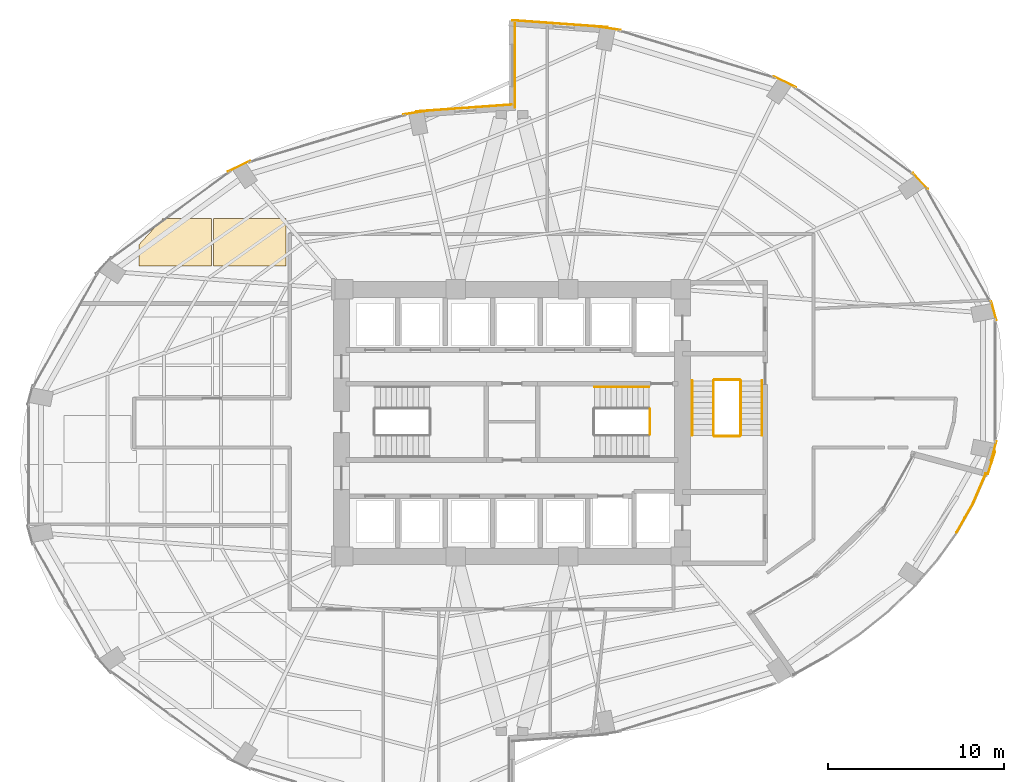
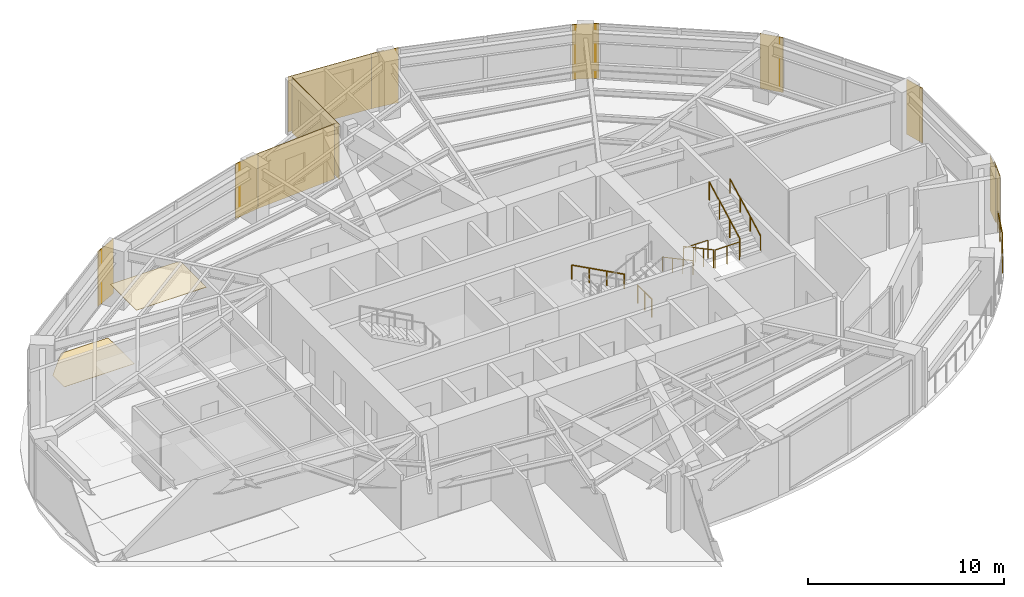
# One storey, part 24 of 24: 13 coverings, 10 railings.
"""IFC4 building model written with IfcOpenShell, lengths in metres."""

from ifc_helpers import new_model, si_unit, direction, frame, origin, origin_2d, place, context, subcontext, project, spatial, polyline, rectangle, circle, outline, extrude, material, layer, layer_set, type_object, element, save


model = new_model("IFC4")

# Units and contexts
model_context = context("Model", 3, precision=1e-05, world=origin(), true_north=direction((0.0, 1.0)))
body_context = subcontext(model_context, "Body", "Model", "MODEL_VIEW")
ifc_project = project(units=[si_unit("LENGTHUNIT", "METRE"), si_unit("AREAUNIT", "SQUARE_METRE"), si_unit("VOLUMEUNIT", "CUBIC_METRE"), si_unit("PLANEANGLEUNIT", "RADIAN"), si_unit("MASSUNIT", "GRAM", prefix="KILO")], contexts=[model_context])

# Site, building, storey
site_placement = place(None, origin())
site = spatial("IfcSite", under=ifc_project, at=site_placement, CompositionType="ELEMENT")
building_placement = place(site_placement, origin())
building = spatial("IfcBuilding", under=site, at=building_placement, Name="Lazwardi Medical Tower", CompositionType="ELEMENT")
storey_placement = place(building_placement, frame((0.0, 0.0, 58.031982421875)))
storey = spatial("IfcBuildingStorey", under=building, at=storey_placement, Name="L14", CompositionType="ELEMENT", Elevation=58.031982421875)

# Coverings
ifc_material_1 = material(Name="Anodised bronze aluminium cassette cladding", Category="aluminium")
ifc_layer_1 = layer(ifc_material_1, 0.030029296875)
ifc_layer_set_1 = layer_set([ifc_layer_1], Name="Anodised bronze aluminium cassette cladding")
covering_type_1 = type_object("IfcCoveringType", Name="COV-CLD-BRZ", PredefinedType="CLADDING", material=ifc_layer_set_1)
for number, where, z_axis, x_axis, name in (
    (1, (63.420654296875, 26.408203125, 0.0), (0.0, 0.0, 1.0), (0.262283496593, 0.964990863902, 0.0), "L14 Mega-column bronze cassette cover M04"),
    (2, (63.420654296875, 34.3916015625, 0.0), (0.0, 0.0, 1.0), (-0.262283496593, 0.964990863902, 0.0), "L14 Mega-column bronze cassette cover M05"),
):
    element("IfcCovering", number, at=place(storey_placement, frame(where, z_axis=z_axis, x_axis=x_axis)), inside=storey, type_object=covering_type_1, Name=name, PredefinedType="CLADDING", context=body_context, shape_type="SweptSolid", body=[
        extrude(rectangle(XDim=1.12548828125, YDim=0.030029296875, at=origin_2d()), origin(), (0.0, 0.0, 1.0), 3.427978515625),
    ])
covering_1_placement = place(storey_placement, frame((59.24609375, 41.767333984375, 0.0), z_axis=(0.0, 0.0, 1.0), x_axis=(-0.674252120961, 0.738501237223, 0.0)))
element("IfcCovering", 3, at=covering_1_placement, inside=storey, type_object=covering_type_1, Name="L14 Mega-column bronze cassette cover M06", PredefinedType="CLADDING", context=body_context, shape_type="SweptSolid", body=[
    extrude(rectangle(XDim=1.24658203125, YDim=0.030029296875, at=origin_2d()), origin(), (0.0, 0.0, 1.0), 3.427978515625),
])
covering_2_placement = place(storey_placement, frame((51.532470703125, 47.412353515625, 0.0), z_axis=(0.0, 0.0, 1.0), x_axis=(-0.898334492373, 0.439312121178, 0.0)))
element("IfcCovering", 4, at=covering_2_placement, inside=storey, type_object=covering_type_1, Name="L14 Mega-column bronze cassette cover M07", PredefinedType="CLADDING", context=body_context, shape_type="SweptSolid", body=[
    extrude(rectangle(XDim=1.400390625, YDim=0.030029296875, at=origin_2d()), origin(), (0.0, 0.0, 1.0), 3.427978515625),
])
for number, where, z_axis, x_axis, name in (
    (5, (41.454345703125, 50.46728515625, 0.0), (0.0, 0.0, 1.0), (-0.98957259946, 0.144034962415, 0.0), "L14 Mega-column bronze cassette cover M08"),
    (6, (30.545654296875, 45.66748046875, 0.0), (0.0, 0.0, 1.0), (-0.98957259946, -0.144034962415, 0.0), "L14 Mega-column bronze cassette cover M09"),
):
    element("IfcCovering", number, at=place(storey_placement, frame(where, z_axis=z_axis, x_axis=x_axis)), inside=storey, type_object=covering_type_1, Name=name, PredefinedType="CLADDING", context=body_context, shape_type="SweptSolid", body=[
        extrude(rectangle(XDim=1.49951171875, YDim=0.030029296875, at=origin_2d()), origin(), (0.0, 0.0, 1.0), 3.427978515625),
    ])
covering_3_placement = place(storey_placement, frame((20.467529296875, 42.6123046875, 0.0), z_axis=(0.0, 0.0, 1.0), x_axis=(-0.898334492373, -0.439312121178, 0.0)))
element("IfcCovering", 7, at=covering_3_placement, inside=storey, type_object=covering_type_1, Name="L14 Mega-column bronze cassette cover M10", PredefinedType="CLADDING", context=body_context, shape_type="SweptSolid", body=[
    extrude(rectangle(XDim=1.400390625, YDim=0.030029296875, at=origin_2d()), origin(), (0.0, 0.0, 1.0), 3.427978515625),
])
ifc_material_2 = material(Name="Turquoise glazed ceramic tilework cladding", Category="masonry")
ifc_layer_2 = layer(ifc_material_2, 0.034912109375)
ifc_layer_set_2 = layer_set([ifc_layer_2], Name="Turquoise glazed ceramic tilework cladding")
covering_type_2 = type_object("IfcCoveringType", Name="COV-CLD-TRQ", PredefinedType="CLADDING", material=ifc_layer_set_2)
covering_4_placement = place(storey_placement, frame((38.728271484375, 50.719482421875, 0.0), z_axis=(0.0, 0.0, 1.0), x_axis=(-0.997421404513, 0.071767275412, 0.0)))
element("IfcCovering", 8, at=covering_4_placement, inside=storey, type_object=covering_type_2, Name="L14 Turquoise glazed ceramic tilework cladding", PredefinedType="CLADDING", context=body_context, shape_type="SweptSolid", body=[
    extrude(rectangle(XDim=5.4453125, YDim=0.034912109375, at=origin_2d()), origin(), (0.0, 0.0, 1.0), 3.427978515625),
])
covering_5_placement = place(storey_placement, frame((33.271484375, 45.919677734375, 0.0), z_axis=(0.0, 0.0, 1.0), x_axis=(-0.997420903458, -0.071774238726, 0.0)))
element("IfcCovering", 9, at=covering_5_placement, inside=storey, type_object=covering_type_2, Name="L14 Turquoise glazed ceramic tilework cladding", PredefinedType="CLADDING", context=body_context, shape_type="SweptSolid", body=[
    extrude(rectangle(XDim=5.44482421875, YDim=0.034912109375, at=origin_2d()), origin(), (0.0, 0.0, 1.0), 3.427978515625),
])
covering_6_placement = place(storey_placement, frame((36.175537109375, 48.340087890625, 0.0), z_axis=(0.0, 0.0, 1.0), x_axis=(0.0, -1.0, 0.0)))
element("IfcCovering", 10, at=covering_6_placement, inside=storey, type_object=covering_type_2, Name="L14 Turquoise glazed ceramic tilework iwan panel", PredefinedType="CLADDING", context=body_context, shape_type="SweptSolid", body=[
    extrude(rectangle(XDim=4.800048828125, YDim=0.034912109375, at=origin_2d()), origin(), (0.0, 0.0, 1.0), 3.427978515625),
])
covering_7_placement = place(storey_placement, frame((63.284912109375, 25.725830078125, 0.0), z_axis=(0.0, 0.0, 1.0), x_axis=(0.303954912629, 0.952686418025, 0.0)))
element("IfcCovering", 11, at=covering_7_placement, inside=storey, type_object=covering_type_2, Name="L14 Turquoise glazed ceramic tilework cladding", PredefinedType="CLADDING", context=body_context, shape_type="SweptSolid", body=[
    extrude(rectangle(XDim=1.362060546875, YDim=0.034912109375, at=origin_2d()), origin(), (0.0, 0.0, 1.0), 3.427978515625),
])
ifc_material_3 = material(Name="Acoustic mineral fibre tile")
ifc_layer_3 = layer(ifc_material_3, 0.02490234375)
ifc_layer_set_3 = layer_set([ifc_layer_3], Name="Acoustic mineral fibre tile")
covering_type_3 = type_object("IfcCoveringType", Name="COV-CLG-01", PredefinedType="CEILING", material=ifc_layer_set_3)
covering_8_placement = place(storey_placement, frame((0.0, 0.0, 3.282958984375)))
element("IfcCovering", 12, at=covering_8_placement, inside=storey, type_object=covering_type_3, Name="L14 Clinical Acoustic Ceiling 9", PredefinedType="CEILING", context=body_context, shape_type="SweptSolid", body=[
    extrude(outline(polyline([(23.142822265625, 36.9423828125), (23.142822265625, 39.62255859375), (19.012939453125, 39.62255859375), (19.012939453125, 36.9423828125), (23.142822265625, 36.9423828125)])), origin(), (0.0, 0.0, 1.0), 0.025146484375),
])
ifc_material_4 = material(Name="Anti-static hospital vinyl sheet flooring")
ifc_layer_4 = layer(ifc_material_4, 0.014892578125)
ifc_layer_set_4 = layer_set([ifc_layer_4], Name="Anti-static hospital vinyl sheet flooring")
covering_type_4 = type_object("IfcCoveringType", Name="COV-FLR-01", PredefinedType="FLOORING", material=ifc_layer_set_4)
covering_9_placement = place(storey_placement, origin())
element("IfcCovering", 13, at=covering_9_placement, inside=storey, type_object=covering_type_4, Name="L14 Clinical Vinyl Flooring 7", PredefinedType="FLOORING", context=body_context, shape_type="SweptSolid", body=[
    extrude(outline(polyline([(16.120361328125, 39.62255859375), (14.762939453125, 38.138671875), (14.762939453125, 36.9423828125), (18.892822265625, 36.9423828125), (18.892822265625, 39.62255859375), (16.120361328125, 39.62255859375)])), origin(), (0.0, 0.0, 1.0), 0.01513671875),
])

# Railings
ifc_material_5 = material(Name="Stainless steel Grade 316", Category="steel")
railing_type_1 = type_object("IfcRailingType", Name="RLG-GRD-1150", PredefinedType="GUARDRAIL", material=ifc_material_5)
railing_1_placement = place(storey_placement, frame((43.85009765625, 28.780029296875, 0.0)))
element("IfcRailing", 14, at=railing_1_placement, inside=storey, type_object=railing_type_1, Name="L14 ST2 stair guard 4", PredefinedType="GUARDRAIL", context=body_context, shape_type="SweptSolid", body=[
    extrude(circle(Radius=0.02392578125, at=origin_2d()), frame((0.0, 0.0, 1.1259765625), z_axis=(0.0, -1.0, 0.0), x_axis=(1.0, 0.0, 0.0)), (0.0, 0.0, 1.0), 1.43994140625),
    extrude(circle(Radius=0.02099609375, at=origin_2d()), origin(), (0.0, 0.0, 1.0), 1.099853515625),
    extrude(circle(Radius=0.02099609375, at=origin_2d()), frame((0.0, -0.719970703125, 0.0)), (0.0, 0.0, 1.0), 1.099853515625),
    extrude(circle(Radius=0.02099609375, at=origin_2d()), frame((0.0, -1.43994140625, 0.0)), (0.0, 0.0, 1.0), 1.099853515625),
])
railing_2_placement = place(storey_placement, frame((47.469970703125, 30.39990234375, 0.165771484375)))
element("IfcRailing", 15, at=railing_2_placement, inside=storey, type_object=railing_type_1, Name="L14 ST3 stair guard 1", PredefinedType="GUARDRAIL", context=body_context, shape_type="SweptSolid", body=[
    extrude(circle(Radius=0.02392578125, at=origin_2d()), frame((0.0, 0.0, 1.1259765625), z_axis=(0.0, -0.881767849116, 0.471683644262), x_axis=(1.0, 0.0, 0.0)), (0.0, 0.0, 1.0), 3.515380859375),
    extrude(circle(Radius=0.02099609375, at=origin_2d()), origin(), (0.0, 0.0, 1.0), 1.099853515625),
    extrude(circle(Radius=0.02099609375, at=origin_2d()), frame((0.0, -1.033203125, 0.552734375)), (0.0, 0.0, 1.0), 1.099853515625),
    extrude(circle(Radius=0.02099609375, at=origin_2d()), frame((0.0, -2.066650390625, 1.10546875)), (0.0, 0.0, 1.0), 1.099853515625),
    extrude(circle(Radius=0.02099609375, at=origin_2d()), frame((0.0, -3.099853515625, 1.658203125)), (0.0, 0.0, 1.0), 1.099853515625),
])
railing_3_placement = place(storey_placement, frame((47.52001953125, 27.25, 1.823974609375)))
element("IfcRailing", 16, at=railing_3_placement, inside=storey, type_object=railing_type_1, Name="L14 ST3 stair guard 2", PredefinedType="GUARDRAIL", context=body_context, shape_type="SweptSolid", body=[
    extrude(circle(Radius=0.02392578125, at=origin_2d()), frame((0.0, 0.0, 1.1259765625), z_axis=(1.0, 0.0, 0.0), x_axis=(0.0, 1.0, 0.0)), (0.0, 0.0, 1.0), 1.43994140625),
    extrude(circle(Radius=0.02099609375, at=origin_2d()), origin(), (0.0, 0.0, 1.0), 1.099853515625),
    extrude(circle(Radius=0.02099609375, at=origin_2d()), frame((0.719970703125, 0.0, 0.0)), (0.0, 0.0, 1.0), 1.099853515625),
    extrude(circle(Radius=0.02099609375, at=origin_2d()), frame((1.43994140625, 0.0, 0.0)), (0.0, 0.0, 1.0), 1.099853515625),
])
railing_4_placement = place(storey_placement, frame((49.010009765625, 27.300048828125, 1.98974609375)))
element("IfcRailing", 17, at=railing_4_placement, inside=storey, type_object=railing_type_1, Name="L14 ST3 stair guard 3", PredefinedType="GUARDRAIL", context=body_context, shape_type="SweptSolid", body=[
    extrude(circle(Radius=0.02392578125, at=origin_2d()), frame((0.0, 0.0, 1.1259765625), z_axis=(0.0, 0.881767849116, 0.471683644262), x_axis=(-1.0, 0.0, 0.0)), (0.0, 0.0, 1.0), 3.515380859375),
    extrude(circle(Radius=0.02099609375, at=origin_2d()), origin(), (0.0, 0.0, 1.0), 1.099853515625),
    extrude(circle(Radius=0.02099609375, at=origin_2d()), frame((0.0, 1.033203125, 0.552734375)), (0.0, 0.0, 1.0), 1.099853515625),
    extrude(circle(Radius=0.02099609375, at=origin_2d()), frame((0.0, 2.066650390625, 1.10546875)), (0.0, 0.0, 1.0), 1.099853515625),
    extrude(circle(Radius=0.02099609375, at=origin_2d()), frame((0.0, 3.099853515625, 1.658203125)), (0.0, 0.0, 1.0), 1.099853515625),
])
railing_5_placement = place(storey_placement, frame((47.52001953125, 30.449951171875, 0.0)))
element("IfcRailing", 18, at=railing_5_placement, inside=storey, type_object=railing_type_1, Name="L14 ST3 stair guard 4", PredefinedType="GUARDRAIL", context=body_context, shape_type="SweptSolid", body=[
    extrude(circle(Radius=0.02392578125, at=origin_2d()), frame((0.0, 0.0, 1.1259765625), z_axis=(1.0, 0.0, 0.0), x_axis=(0.0, 1.0, 0.0)), (0.0, 0.0, 1.0), 1.43994140625),
    extrude(circle(Radius=0.02099609375, at=origin_2d()), origin(), (0.0, 0.0, 1.0), 1.099853515625),
    extrude(circle(Radius=0.02099609375, at=origin_2d()), frame((0.719970703125, 0.0, 0.0)), (0.0, 0.0, 1.0), 1.099853515625),
    extrude(circle(Radius=0.02099609375, at=origin_2d()), frame((1.43994140625, 0.0, 0.0)), (0.0, 0.0, 1.0), 1.099853515625),
])
railing_type_2 = type_object("IfcRailingType", Name="RLG-HND-920", PredefinedType="HANDRAIL", material=ifc_material_5)
railing_6_placement = place(storey_placement, frame((43.800048828125, 30.050048828125, 0.165771484375)))
element("IfcRailing", 19, at=railing_6_placement, inside=storey, type_object=railing_type_2, Name="L14 ST2 stair handrail 1", PredefinedType="HANDRAIL", context=body_context, shape_type="SweptSolid", body=[
    extrude(circle(Radius=0.02392578125, at=origin_2d()), frame((0.0, 0.0, 0.8857421875), z_axis=(-0.881783298633, 0.0, 0.471654761719), x_axis=(0.0, -1.0, 0.0)), (0.0, 0.0, 1.0), 3.515625),
    extrude(circle(Radius=0.02099609375, at=origin_2d()), origin(), (0.0, 0.0, 1.0), 0.85986328125),
    extrude(circle(Radius=0.02099609375, at=origin_2d()), frame((-1.033447265625, 0.0, 0.552734375)), (0.0, 0.0, 1.0), 0.85986328125),
    extrude(circle(Radius=0.02099609375, at=origin_2d()), frame((-2.066650390625, 0.0, 1.10546875)), (0.0, 0.0, 1.0), 0.85986328125),
    extrude(circle(Radius=0.02099609375, at=origin_2d()), frame((-3.10009765625, 0.0, 1.658203125)), (0.0, 0.0, 1.0), 0.85986328125),
])
railing_7_placement = place(storey_placement, frame((46.25, 30.39990234375, 0.165771484375)))
element("IfcRailing", 20, at=railing_7_placement, inside=storey, type_object=railing_type_2, Name="L14 ST3 stair handrail 1", PredefinedType="HANDRAIL", context=body_context, shape_type="SweptSolid", body=[
    extrude(circle(Radius=0.02392578125, at=origin_2d()), frame((0.0, 0.0, 0.8857421875), z_axis=(0.0, -0.881767849116, 0.471683644262), x_axis=(1.0, 0.0, 0.0)), (0.0, 0.0, 1.0), 3.515380859375),
    extrude(circle(Radius=0.02099609375, at=origin_2d()), origin(), (0.0, 0.0, 1.0), 0.85986328125),
    extrude(circle(Radius=0.02099609375, at=origin_2d()), frame((0.0, -1.033203125, 0.552734375)), (0.0, 0.0, 1.0), 0.85986328125),
    extrude(circle(Radius=0.02099609375, at=origin_2d()), frame((0.0, -2.066650390625, 1.10546875)), (0.0, 0.0, 1.0), 0.85986328125),
    extrude(circle(Radius=0.02099609375, at=origin_2d()), frame((0.0, -3.099853515625, 1.658203125)), (0.0, 0.0, 1.0), 0.85986328125),
])
railing_8_placement = place(storey_placement, frame((50.22998046875, 27.300048828125, 1.98974609375)))
element("IfcRailing", 21, at=railing_8_placement, inside=storey, type_object=railing_type_2, Name="L14 ST3 stair handrail 2", PredefinedType="HANDRAIL", context=body_context, shape_type="SweptSolid", body=[
    extrude(circle(Radius=0.02392578125, at=origin_2d()), frame((0.0, 0.0, 0.8857421875), z_axis=(0.0, 0.881767849116, 0.471683644262), x_axis=(-1.0, 0.0, 0.0)), (0.0, 0.0, 1.0), 3.515380859375),
    extrude(circle(Radius=0.02099609375, at=origin_2d()), origin(), (0.0, 0.0, 1.0), 0.85986328125),
    extrude(circle(Radius=0.02099609375, at=origin_2d()), frame((0.0, 1.033203125, 0.552734375)), (0.0, 0.0, 1.0), 0.85986328125),
    extrude(circle(Radius=0.02099609375, at=origin_2d()), frame((0.0, 2.066650390625, 1.10546875)), (0.0, 0.0, 1.0), 0.85986328125),
    extrude(circle(Radius=0.02099609375, at=origin_2d()), frame((0.0, 3.099853515625, 1.658203125)), (0.0, 0.0, 1.0), 0.85986328125),
])
ifc_material_6 = material(Name="Anodised bronze aluminium and laminated glass", Category="aluminium")
railing_type_3 = type_object("IfcRailingType", Name="RLG-SKG-1250", PredefinedType="GUARDRAIL", material=ifc_material_6)
railing_9_placement = place(storey_placement, frame((61.30419921875, 21.77001953125, 0.0)))
element("IfcRailing", 22, at=railing_9_placement, inside=storey, type_object=railing_type_3, Name="L14 Sky Garden SG1 Perimeter Guard 07", PredefinedType="GUARDRAIL", context=body_context, shape_type="SweptSolid", body=[
    extrude(circle(Radius=0.02392578125, at=origin_2d()), frame((0.0, 0.0, 1.22607421875), z_axis=(0.492673838612, 0.870214047661, 0.0), x_axis=(-0.870214047661, 0.492673838612, 0.0)), (0.0, 0.0, 1.0), 1.8916015625),
    extrude(circle(Radius=0.02099609375, at=origin_2d()), origin(), (0.0, 0.0, 1.0), 1.199951171875),
    extrude(circle(Radius=0.02099609375, at=origin_2d()), frame((0.4658203125, 0.822998046875, 0.0)), (0.0, 0.0, 1.0), 1.199951171875),
    extrude(circle(Radius=0.02099609375, at=origin_2d()), frame((0.931884765625, 1.64599609375, 0.0)), (0.0, 0.0, 1.0), 1.199951171875),
])
railing_10_placement = place(storey_placement, frame((62.236083984375, 23.416015625, 0.0)))
element("IfcRailing", 23, at=railing_10_placement, inside=storey, type_object=railing_type_3, Name="L14 Sky Garden SG1 Perimeter Guard 08", PredefinedType="GUARDRAIL", context=body_context, shape_type="SweptSolid", body=[
    extrude(circle(Radius=0.02392578125, at=origin_2d()), frame((0.0, 0.0, 1.22607421875), z_axis=(0.395877314117, 0.918303409646, 0.0), x_axis=(-0.918303409646, 0.395877314117, 0.0)), (0.0, 0.0, 1.0), 1.85009765625),
    extrude(circle(Radius=0.02099609375, at=origin_2d()), origin(), (0.0, 0.0, 1.0), 1.199951171875),
    extrude(circle(Radius=0.02099609375, at=origin_2d()), frame((0.3662109375, 0.849609375, 0.0)), (0.0, 0.0, 1.0), 1.199951171875),
    extrude(circle(Radius=0.02099609375, at=origin_2d()), frame((0.732421875, 1.698974609375, 0.0)), (0.0, 0.0, 1.0), 1.199951171875),
])

save(model, "model.ifc")
